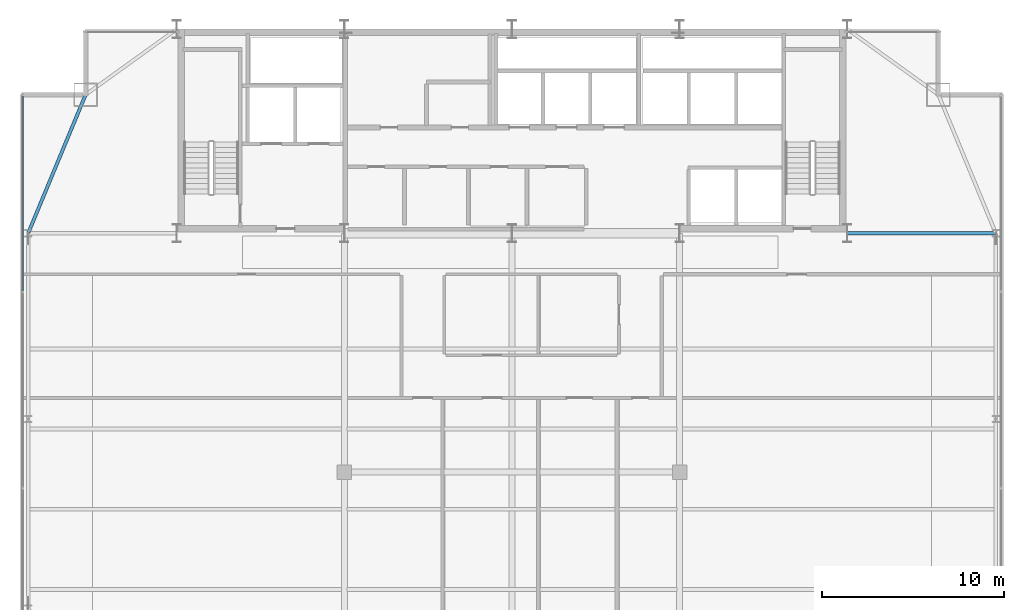
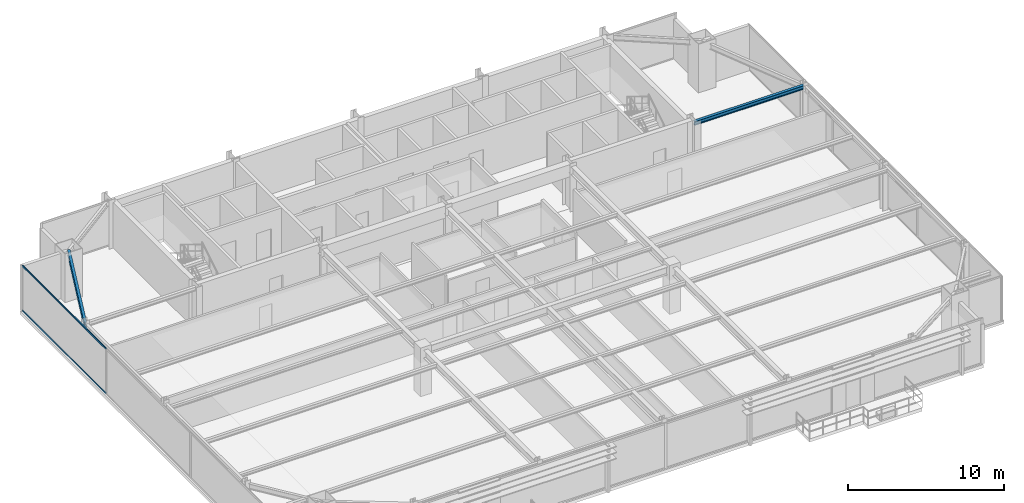
# One storey, part 19 of 31: 2 beams, 2 members, 1 element without a shape of its own.
"""IFC4 building model written with IfcOpenShell, lengths in metres."""

from ifc_helpers import new_model, si_unit, direction, frame, origin, origin_2d, place, context, subcontext, project, spatial, hollow_rectangle, i_section, extrude, source, transform, mapped, material, layer, layer_set, material_profile, profile_set, type_object, type_shapes, element, aggregate, save


model = new_model("IFC4")

# Units and contexts
model_context = context("Model", 3, precision=1e-05, world=origin(), true_north=direction((0.0, 1.0)))
body_context = subcontext(model_context, "Body", "Model", "MODEL_VIEW")
ifc_project = project(units=[si_unit("LENGTHUNIT", "METRE"), si_unit("AREAUNIT", "SQUARE_METRE"), si_unit("VOLUMEUNIT", "CUBIC_METRE"), si_unit("PLANEANGLEUNIT", "RADIAN"), si_unit("MASSUNIT", "GRAM", prefix="KILO")], contexts=[model_context])

# Site, building, storey
site_placement = place(None, origin())
site = spatial("IfcSite", under=ifc_project, at=site_placement, CompositionType="ELEMENT")
building_placement = place(site_placement, origin())
building = spatial("IfcBuilding", under=site, at=building_placement, Name="Varnel Quay Broadcast Tower", CompositionType="ELEMENT")
storey_placement = place(building_placement, frame((0.0, 0.0, 157.199951171875)))
storey = spatial("IfcBuildingStorey", under=building, at=storey_placement, Name="L38", CompositionType="ELEMENT", Elevation=157.199951171875)

# Beams
ifc_material_1 = material(Name="Structural Steel CSA G40.21 350W", Category="steel")
ifc_material_profile_1 = material_profile(ifc_material_1, i_section(OverallWidth=0.180908203125, OverallDepth=0.4169921875, WebThickness=0.010986328125, FlangeThickness=0.018310546875, FilletRadius=0.011962890625, at=origin_2d()), Name="W410X85")
ifc_profile_set_1 = profile_set([ifc_material_profile_1], Name="Structural Steel CSA G40.21 350W")
beam_type_1 = type_object("IfcBeamType", Name="Beam_W410X85", PredefinedType="SPANDREL", material=ifc_profile_set_1)
shared_shape_1 = source(origin(), body_context, "Body", "SweptSolid", [
    extrude(i_section(OverallWidth=0.180908203125, OverallDepth=0.4169921875, WebThickness=0.010986328125, FlangeThickness=0.018310546875, FilletRadius=0.011962890625, at=origin_2d()), origin(), (0.0, 0.0, 1.0), 8.186767578125),
])
type_shapes(beam_type_1, [shared_shape_1])
beam_1_placement = place(storey_placement, frame((7.457763671875, 35.618408203125, 3.341552734375), z_axis=(0.382874132092, 0.923800519038, 0.0), x_axis=(-0.923800519038, 0.382874132092, 0.0)))
element("IfcBeam", 1, at=beam_1_placement, inside=storey, type_object=beam_type_1, Name="L38 West Spandrel TC-W3-MC-NW", PredefinedType="SPANDREL", context=body_context, shape_type="MappedRepresentation", body=[
    mapped(shared_shape_1, transform((0.0, 0.0, 0.0), x_axis=(1.0, 0.0, 0.0), y_axis=(0.0, 1.0, 0.0), z_axis=(0.0, 0.0, 1.0), scale=1.0)),
])
ifc_material_profile_2 = material_profile(ifc_material_1, i_section(OverallWidth=0.202880859375, OverallDepth=0.302978515625, WebThickness=0.007568359375, FlangeThickness=0.01318359375, FilletRadius=0.011962890625, at=origin_2d()), Name="W310X60")
ifc_profile_set_2 = profile_set([ifc_material_profile_2], Name="Structural Steel CSA G40.21 350W")
beam_type_2 = type_object("IfcBeamType", Name="Beam_W310X60", PredefinedType="JOIST", material=ifc_profile_set_2)
shared_shape_2 = source(origin(), body_context, "Body", "SweptSolid", [
    extrude(i_section(OverallWidth=0.202880859375, OverallDepth=0.302978515625, WebThickness=0.007568359375, FlangeThickness=0.01318359375, FilletRadius=0.011962890625, at=origin_2d()), origin(), (0.0, 0.0, 1.0), 8.110107421875),
])
type_shapes(beam_type_2, [shared_shape_2])
beam_2_placement = place(storey_placement, frame((52.419921875, 35.60009765625, 3.3984375), z_axis=(1.0, 0.0, 0.0), x_axis=(0.0, 1.0, 0.0)))
element("IfcBeam", 2, at=beam_2_placement, inside=storey, type_object=beam_type_2, Name="L38 East Core Tie Joist", PredefinedType="JOIST", context=body_context, shape_type="MappedRepresentation", body=[
    mapped(shared_shape_2, transform((0.0, 0.0, 0.0), x_axis=(1.0, 0.0, 0.0), y_axis=(0.0, 1.0, 0.0), z_axis=(0.0, 0.0, 1.0), scale=1.0)),
])

# Curtain wall, members
ifc_material_2 = material(Name="Anodised Bronze Aluminium 6063-T6", Category="aluminium")
ifc_layer = layer(ifc_material_2, 0.18994140625, Name="Anodised Bronze Aluminium 6063-T6")
ifc_layer_set = layer_set([ifc_layer], Name="Anodised Bronze Aluminium 6063-T6")
curtain_wall_type = type_object("IfcCurtainWallType", Name="CW_UpperTower", PredefinedType="NOTDEFINED", material=ifc_layer_set)
curtain_wall_placement = place(storey_placement, origin())
curtain_wall = element("IfcCurtainWall", 3, at=curtain_wall_placement, inside=storey, type_object=curtain_wall_type, Name="L38 West Unitised Curtain Wall", PredefinedType="NOTDEFINED")
ifc_material_profile_3 = material_profile(ifc_material_2, hollow_rectangle(XDim=0.06005859375, YDim=0.125, WallThickness=0.0029296875, at=origin_2d()), Name="ALU60X125X3")
ifc_profile_set_3 = profile_set([ifc_material_profile_3], Name="Anodised Bronze Aluminium 6063-T6")
member_type = type_object("IfcMemberType", Name="Tran_CWS-03", PredefinedType="USERDEFINED", material=ifc_profile_set_3)
shared_shape_3 = source(origin(), body_context, "Body", "SweptSolid", [
    extrude(hollow_rectangle(XDim=0.06005859375, YDim=0.125, WallThickness=0.0029296875, at=origin_2d()), origin(), (0.0, 0.0, 1.0), 10.702392578125),
])
type_shapes(member_type, [shared_shape_3])
member_1_placement = place(storey_placement, frame((7.14990234375, 32.4326171875, 0.030029296875), z_axis=(0.0, 1.0, 0.0), x_axis=(-1.0, 0.0, 0.0)))
member_1 = element("IfcMember", 4, at=member_1_placement, type_object=member_type, Name="CWS-03 transom 3.1", ObjectType="TRANSOM", PredefinedType="USERDEFINED", context=body_context, shape_type="MappedRepresentation", body=[
    mapped(shared_shape_3, transform((0.0, 0.0, 0.0), x_axis=(1.0, 0.0, 0.0), y_axis=(0.0, 1.0, 0.0), z_axis=(0.0, 0.0, 1.0), scale=1.0)),
])
member_2_placement = place(storey_placement, frame((7.14990234375, 32.4326171875, 3.52001953125), z_axis=(0.0, 1.0, 0.0), x_axis=(-1.0, 0.0, 0.0)))
member_2 = element("IfcMember", 5, at=member_2_placement, type_object=member_type, Name="CWS-03 transom 3.2", ObjectType="TRANSOM", PredefinedType="USERDEFINED", context=body_context, shape_type="MappedRepresentation", body=[
    mapped(shared_shape_3, transform((0.0, 0.0, 0.0), x_axis=(1.0, 0.0, 0.0), y_axis=(0.0, 1.0, 0.0), z_axis=(0.0, 0.0, 1.0), scale=1.0)),
])
aggregate(curtain_wall, [member_1, member_2])

save(model, "model.ifc")
